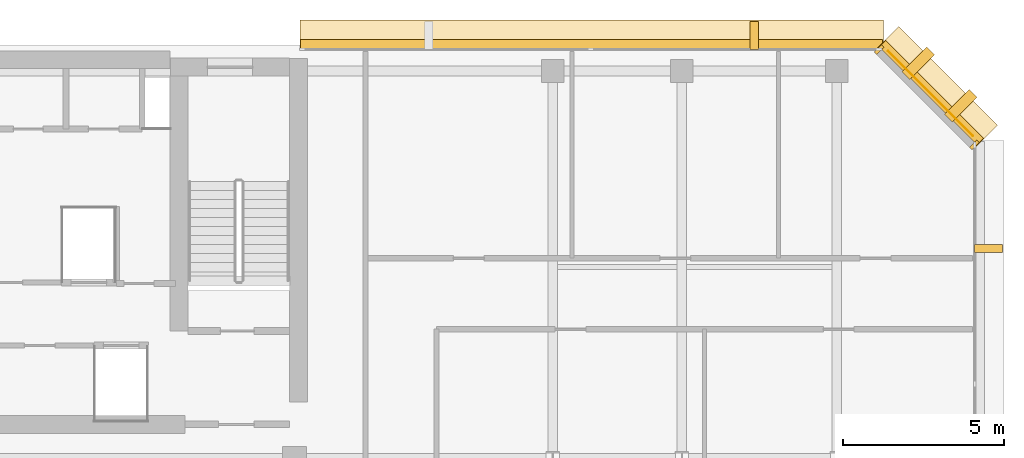
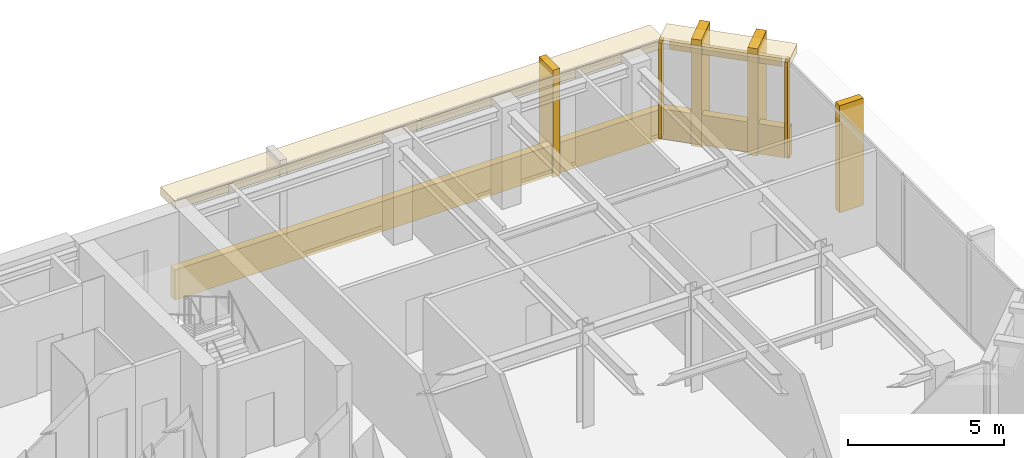
# One storey, part 13 of 13: 11 coverings.
"""IFC4 building model written with IfcOpenShell, lengths in metres."""

from ifc_helpers import new_model, si_unit, direction, frame, origin, origin_2d, place, context, subcontext, project, spatial, rectangle, extrude, material, layer, layer_set, type_object, element, save


model = new_model("IFC4")

# Units and contexts
model_context = context("Model", 3, precision=1e-05, world=origin(), true_north=direction((0.0, 1.0)))
body_context = subcontext(model_context, "Body", "Model", "MODEL_VIEW")
ifc_project = project(units=[si_unit("LENGTHUNIT", "METRE"), si_unit("AREAUNIT", "SQUARE_METRE"), si_unit("VOLUMEUNIT", "CUBIC_METRE"), si_unit("PLANEANGLEUNIT", "RADIAN"), si_unit("MASSUNIT", "GRAM", prefix="KILO")], contexts=[model_context])

# Site, building, storey
site_placement = place(None, origin())
site = spatial("IfcSite", under=ifc_project, at=site_placement, CompositionType="ELEMENT")
building_placement = place(site_placement, origin())
building = spatial("IfcBuilding", under=site, at=building_placement, Name="Kefirva Bronze Tower", CompositionType="ELEMENT")
storey_placement = place(building_placement, frame((0.0, 0.0, 311.85009765625)))
storey = spatial("IfcBuildingStorey", under=building, at=storey_placement, Name="L76", CompositionType="ELEMENT", Elevation=311.85009765625)

# Coverings
ifc_material = material(Name="Bronze anodised aluminium", Category="aluminium")
ifc_layer_1 = layer(ifc_material, 0.02001953125, Name="Bronze anodised aluminium")
ifc_layer_set_1 = layer_set([ifc_layer_1], Name="Bronze anodised aluminium")
covering_type_1 = type_object("IfcCoveringType", Name="Anodised Bronze Spandrel Cladding 20mm", PredefinedType="CLADDING", material=ifc_layer_set_1)
covering_1_placement = place(storey_placement, frame((42.906982421875, 44.507080078125, 3.320068359375), z_axis=(0.0, 0.0, 1.0), x_axis=(-0.707106781187, 0.707106781187, 0.0)))
element("IfcCovering", 1, at=covering_1_placement, inside=storey, type_object=covering_type_1, Name="L76 Bronze Spandrel Cladding 8", PredefinedType="CLADDING", context=body_context, shape_type="SweptSolid", body=[
    extrude(rectangle(XDim=3.719482421875, YDim=0.02001953125, at=origin_2d()), origin(), (0.0, 0.0, 1.0), 0.39990234375),
])
for number, where, z_axis, x_axis, name in (
    (2, (44.26220703125, 42.91162109375, 0.0), (0.0, 0.0, 1.0), (-0.707106781187, 0.707106781187, 0.0), "L76 Facade Joint Closure Panel 8S"),
    (3, (41.311767578125, 45.862060546875, 0.0), (0.0, 0.0, 1.0), (-0.707106781187, 0.707106781187, 0.0), "L76 Facade Joint Closure Panel 8E"),
):
    element("IfcCovering", number, at=place(storey_placement, frame(where, z_axis=z_axis, x_axis=x_axis)), inside=storey, type_object=covering_type_1, Name=name, PredefinedType="CLADDING", context=body_context, shape_type="SweptSolid", body=[
        extrude(rectangle(XDim=0.10009765625, YDim=0.320068359375, at=origin_2d()), origin(), (0.0, 0.0, 1.0), 3.739990234375),
    ])
covering_2_placement = place(storey_placement, frame((42.92822265625, 44.5283203125, -0.16015625), z_axis=(0.0, 0.0, 1.0), x_axis=(-0.707106781187, 0.707106781187, 0.0)))
element("IfcCovering", 4, at=covering_2_placement, inside=storey, type_object=covering_type_1, Name="L76 Streamline Horizontal Spandrel Band 11", PredefinedType="CLADDING", context=body_context, shape_type="SweptSolid", body=[
    extrude(rectangle(XDim=4.28271484375, YDim=0.280029296875, at=origin_2d()), origin(), (0.0, 0.0, 1.0), 1.179931640625),
])
covering_3_placement = place(storey_placement, frame((32.402587890625, 46.0400390625, -0.16015625), z_axis=(0.0, 0.0, 1.0), x_axis=(-1.0, 0.0, 0.0)))
element("IfcCovering", 5, at=covering_3_placement, inside=storey, type_object=covering_type_1, Name="L76 Streamline Horizontal Spandrel Band 12", PredefinedType="CLADDING", context=body_context, shape_type="SweptSolid", body=[
    extrude(rectangle(XDim=18.034912109375, YDim=0.280029296875, at=origin_2d()), origin(), (0.0, 0.0, 1.0), 1.179931640625),
])
ifc_layer_2 = layer(ifc_material, 0.179931640625, Name="Bronze anodised aluminium")
ifc_layer_set_2 = layer_set([ifc_layer_2], Name="Bronze anodised aluminium")
covering_type_2 = type_object("IfcCoveringType", Name="Streamline Bronze Sunshade Eyebrow Cladding 180mm", PredefinedType="CLADDING", material=ifc_layer_set_2)
covering_4_placement = place(storey_placement, frame((43.119140625, 44.71923828125, 3.419921875), z_axis=(0.0, 0.0, 1.0), x_axis=(-0.707106781187, 0.707106781187, 0.0)))
element("IfcCovering", 6, at=covering_4_placement, inside=storey, type_object=covering_type_2, Name="L76 Streamline Bronze Sunshade Eyebrow 11", PredefinedType="CLADDING", context=body_context, shape_type="SweptSolid", body=[
    extrude(rectangle(XDim=4.322509765625, YDim=0.93994140625, at=origin_2d()), origin(), (0.0, 0.0, 1.0), 0.320068359375),
])
covering_5_placement = place(storey_placement, frame((32.402587890625, 46.31005859375, 3.419921875), z_axis=(0.0, 0.0, 1.0), x_axis=(-1.0, 0.0, 0.0)))
element("IfcCovering", 7, at=covering_5_placement, inside=storey, type_object=covering_type_2, Name="L76 Streamline Bronze Sunshade Eyebrow 12", PredefinedType="CLADDING", context=body_context, shape_type="SweptSolid", body=[
    extrude(rectangle(XDim=18.074951171875, YDim=0.93994140625, at=origin_2d()), origin(), (0.0, 0.0, 1.0), 0.320068359375),
])
ifc_layer_3 = layer(ifc_material, 0.260009765625, Name="Bronze anodised aluminium")
ifc_layer_set_3 = layer_set([ifc_layer_3], Name="Bronze anodised aluminium")
covering_type_3 = type_object("IfcCoveringType", Name="Unbroken Bronze Buttress Fin Cladding 260mm", PredefinedType="CLADDING", material=ifc_layer_set_3)
covering_6_placement = place(storey_placement, frame((44.699951171875, 39.699951171875, -0.22021484375), z_axis=(0.0, 0.0, 1.0), x_axis=(0.0, 1.0, 0.0)))
element("IfcCovering", 8, at=covering_6_placement, inside=storey, type_object=covering_type_3, Name="L76 Unbroken Vertical Bronze Rib Fin 14", PredefinedType="CLADDING", context=body_context, shape_type="SweptSolid", body=[
    extrude(rectangle(XDim=0.260009765625, YDim=0.8798828125, at=origin_2d()), origin(), (0.0, 0.0, 1.0), 4.179931640625),
])
for number, where, z_axis, x_axis, name in (
    (9, (43.8427734375, 44.122802734375, -0.22021484375), (0.0, 0.0, 1.0), (-0.707106781187, 0.707106781187, 0.0), "L76 Chamfered Corner Buttress Fin Cladding 15"),
    (10, (42.522705078125, 45.44287109375, -0.22021484375), (0.0, 0.0, 1.0), (-0.707106781187, 0.707106781187, 0.0), "L76 Chamfered Corner Buttress Fin Cladding 16"),
):
    element("IfcCovering", number, at=place(storey_placement, frame(where, z_axis=z_axis, x_axis=x_axis)), inside=storey, type_object=covering_type_3, Name=name, PredefinedType="CLADDING", context=body_context, shape_type="SweptSolid", body=[
        extrude(rectangle(XDim=0.340087890625, YDim=1.080078125, at=origin_2d()), origin(), (0.0, 0.0, 1.0), 4.179931640625),
    ])
covering_7_placement = place(storey_placement, frame((37.441162109375, 46.300048828125, -0.22021484375), z_axis=(0.0, 0.0, 1.0), x_axis=(-1.0, 0.0, 0.0)))
element("IfcCovering", 11, at=covering_7_placement, inside=storey, type_object=covering_type_3, Name="L76 Unbroken Vertical Bronze Rib Fin 17", PredefinedType="CLADDING", context=body_context, shape_type="SweptSolid", body=[
    extrude(rectangle(XDim=0.260009765625, YDim=0.8798828125, at=origin_2d()), origin(), (0.0, 0.0, 1.0), 4.179931640625),
])

save(model, "model.ifc")
